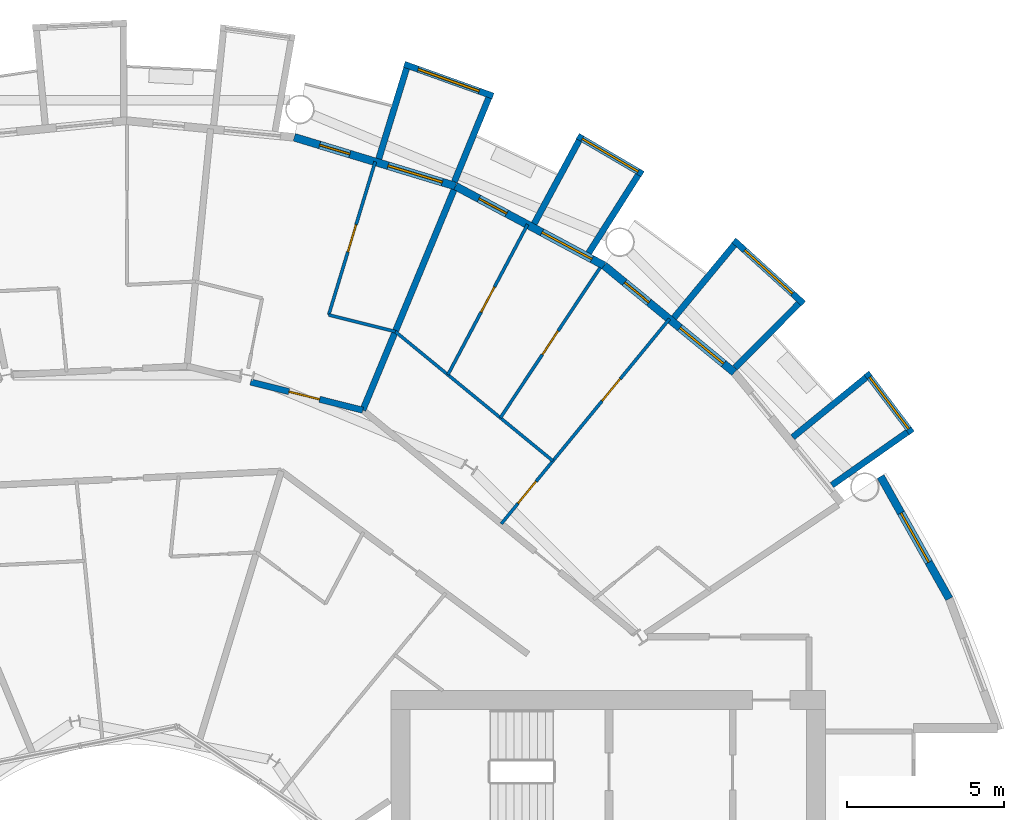
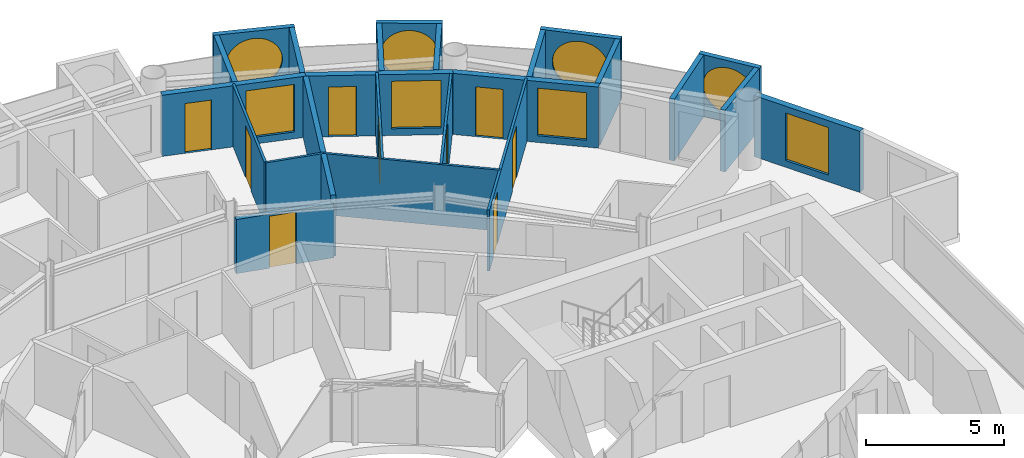
# One storey, part 23 of 27: 24 walls, 9 doors, 8 windows, 17 openings.
"""IFC4 building model written with IfcOpenShell, lengths in metres."""

from ifc_helpers import new_model, si_unit, direction, frame, frame_2d, origin, place, context, subcontext, project, spatial, rectangle, circle, extrude, material, layer, layer_set, type_object, element, fill, save


model = new_model("IFC4")

# Units and contexts
model_context = context("Model", 3, precision=1e-05, world=origin(), true_north=direction((0.0, 1.0)))
body_context = subcontext(model_context, "Body", "Model", "MODEL_VIEW")
ifc_project = project(units=[si_unit("LENGTHUNIT", "METRE"), si_unit("AREAUNIT", "SQUARE_METRE"), si_unit("VOLUMEUNIT", "CUBIC_METRE"), si_unit("PLANEANGLEUNIT", "RADIAN"), si_unit("MASSUNIT", "GRAM", prefix="KILO")], contexts=[model_context])

# Site, building, storey
site_placement = place(None, origin())
site = spatial("IfcSite", under=ifc_project, at=site_placement, CompositionType="ELEMENT")
building_placement = place(site_placement, origin())
building = spatial("IfcBuilding", under=site, at=building_placement, Name="Maasbend Ring Residences", CompositionType="ELEMENT")
storey_placement = place(building_placement, frame((0.0, 0.0, 114.699951171875)))
storey = spatial("IfcBuildingStorey", under=building, at=storey_placement, Name="L32", CompositionType="ELEMENT", Elevation=114.699951171875)

# Wall, opening, door
ifc_material_1 = material(Name="Concrete C30/37", Category="concrete")
ifc_layer_1 = layer(ifc_material_1, 0.199951171875)
ifc_layer_set_1 = layer_set([ifc_layer_1], Name="Concrete C30/37")
wall_type_1 = type_object("IfcWallType", Name="CORRIDOR WALL 200 CONCRETE", PredefinedType="PARTITIONING", material=ifc_layer_set_1)
wall_1_placement = place(storey_placement, frame((3.93603515625, 19.0009765625, 0.0), z_axis=(0.0, 0.0, 1.0), x_axis=(0.970025155677, -0.243004521262, 0.0)))
wall_1 = element("IfcWall", 1, at=wall_1_placement, inside=storey, type_object=wall_type_1, Name="U-L32-w104", PredefinedType="PARTITIONING", context=body_context, shape_type="SweptSolid", body=[
    extrude(rectangle(XDim=3.675048828125, YDim=0.199951171875, at=frame_2d((1.83740234375, 0.0))), origin(), (0.0, 0.0, 1.0), 2.39013671875),
])
opening_1_placement = place(wall_1_placement, frame((1.258056640625, 0.0, 0.0)))
opening_1 = element("IfcOpeningElement", 2, at=opening_1_placement, cuts=wall_1, Name="Opening D-3207", PredefinedType="OPENING", context=body_context, shape_type="SweptSolid", body=[
    extrude(rectangle(XDim=1.0, YDim=2.300048828125, at=frame_2d((0.5, 1.14990234375))), frame((0.0, 0.10986328125, 0.0), z_axis=(0.0, -1.0, 0.0), x_axis=(1.0, 0.0, 0.0)), (0.0, 0.0, 1.0), 0.219970703125),
])
ifc_material_2 = material(Name="Timber, fire-rated, painted", Category="wood")
door_type_1 = type_object("IfcDoorType", Name="FLAT ENTRANCE DOOR 1000 X 2300 FIRE-RATED", OperationType="NOTDEFINED", PredefinedType="DOOR", material=ifc_material_2)
door_1_placement = place(opening_1_placement, origin())
door_1 = element("IfcDoor", 3, at=door_1_placement, inside=storey, type_object=door_type_1, Name="D-3207", OperationType="SINGLE_SWING_LEFT", OverallHeight=2.300048828125, OverallWidth=1.0, PredefinedType="DOOR", context=body_context, shape_type="SweptSolid", body=[
    extrude(rectangle(XDim=1.0, YDim=2.300048828125, at=frame_2d((0.5, 1.14990234375))), frame((0.0, 0.02490234375, 0.0), z_axis=(0.0, -1.0, 0.0), x_axis=(1.0, 0.0, 0.0)), (0.0, 0.0, 1.0), 0.050048828125),
])
fill(opening_1, door_1)

# Wall, opening, window
ifc_material_3 = material(Name="Pale anodised aluminium panel", Category="aluminium")
ifc_layer_2 = layer(ifc_material_3, 0.199951171875)
ifc_layer_set_2 = layer_set([ifc_layer_2], Name="EW-BOX")
wall_type_2 = type_object("IfcWallType", Name="EW-BOX", PredefinedType="SOLIDWALL", material=ifc_layer_set_2)
wall_2_placement = place(storey_placement, frame((24.93994140625, 17.382080078125, -0.030029296875), z_axis=(0.0, 0.0, 1.0), x_axis=(-0.603375996329, 0.797456837111, 0.0)))
wall_2 = element("IfcWall", 4, at=wall_2_placement, inside=storey, type_object=wall_type_2, Name="Box front N01", PredefinedType="SOLIDWALL", context=body_context, shape_type="SweptSolid", body=[
    extrude(rectangle(XDim=2.391357421875, YDim=0.199951171875, at=frame_2d((1.19580078125, 0.0))), origin(), (0.0, 0.0, 1.0), 2.72998046875),
])
opening_2_placement = place(wall_2_placement, frame((0.15576171875, 0.0, 0.330078125)))
opening_2 = element("IfcOpeningElement", 5, at=opening_2_placement, cuts=wall_2, Name="Opening W-RD", PredefinedType="OPENING", context=body_context, shape_type="SweptSolid", body=[
    extrude(circle(Radius=1.0400390625, at=frame_2d((1.0400390625, 1.0400390625))), frame((0.0, 0.10986328125, 0.0), z_axis=(0.0, -1.0, 0.0), x_axis=(1.0, 0.0, 0.0)), (0.0, 0.0, 1.0), 0.219970703125),
])
ifc_material_4 = material(Name="Aluminium and clear glass", Category="aluminium")
window_type_1 = type_object("IfcWindowType", Name="W-RD", PartitioningType="SINGLE_PANEL", PredefinedType="WINDOW", material=ifc_material_4)
window_1_placement = place(opening_2_placement, origin())
window_1 = element("IfcWindow", 6, at=window_1_placement, inside=storey, type_object=window_type_1, Name="Round window N01", OverallHeight=2.080078125, OverallWidth=2.080078125, PartitioningType="SINGLE_PANEL", PredefinedType="WINDOW", context=body_context, shape_type="SweptSolid", body=[
    extrude(circle(Radius=1.0400390625, at=frame_2d((1.0400390625, 1.0400390625))), frame((0.0, 0.030029296875, 0.0), z_axis=(0.0, -1.0, 0.0), x_axis=(1.0, 0.0, 0.0)), (0.0, 0.0, 1.0), 0.06005859375),
])
fill(opening_2, window_1)

# Walls
wall_3_placement = place(storey_placement, frame((22.402099609375, 15.72607421875, -0.030029296875), z_axis=(0.0, 0.0, 1.0), x_axis=(0.818275399393, 0.574826383135, 0.0)))
element("IfcWall", 7, at=wall_3_placement, inside=storey, type_object=wall_type_2, Name="Box side wall N01 left", PredefinedType="SOLIDWALL", context=body_context, shape_type="SweptSolid", body=[
    extrude(rectangle(XDim=2.92919921875, YDim=0.199951171875, at=frame_2d((1.464599609375, 0.0))), origin(), (0.0, 0.0, 1.0), 2.72998046875),
])
wall_4_placement = place(storey_placement, frame((21.155029296875, 17.24609375, -0.030029296875), z_axis=(0.0, 0.0, 1.0), x_axis=(0.775179004516, 0.631741648902, 0.0)))
element("IfcWall", 8, at=wall_4_placement, inside=storey, type_object=wall_type_2, Name="Box side wall N01 right", PredefinedType="SOLIDWALL", context=body_context, shape_type="SweptSolid", body=[
    extrude(rectangle(XDim=3.005859375, YDim=0.199951171875, at=frame_2d((1.5029296875, 0.0))), origin(), (0.0, 0.0, 1.0), 2.72998046875),
])

# Wall, opening, window
wall_5_placement = place(storey_placement, frame((21.5, 21.492919921875, -0.030029296875), z_axis=(0.0, 0.0, 1.0), x_axis=(-0.740998365753, 0.671506829416, 0.0)))
wall_5 = element("IfcWall", 9, at=wall_5_placement, inside=storey, type_object=wall_type_2, Name="Box front N03", PredefinedType="SOLIDWALL", context=body_context, shape_type="SweptSolid", body=[
    extrude(rectangle(XDim=2.9931640625, YDim=0.199951171875, at=frame_2d((1.49658203125, 0.0))), origin(), (0.0, 0.0, 1.0), 2.72998046875),
])
opening_3_placement = place(wall_5_placement, frame((0.45654296875, 0.0, 0.330078125)))
opening_3 = element("IfcOpeningElement", 10, at=opening_3_placement, cuts=wall_5, Name="Opening W-RD", PredefinedType="OPENING", context=body_context, shape_type="SweptSolid", body=[
    extrude(circle(Radius=1.0400390625, at=frame_2d((1.0400390625, 1.0400390625))), frame((0.0, 0.10986328125, 0.0), z_axis=(0.0, -1.0, 0.0), x_axis=(1.0, 0.0, 0.0)), (0.0, 0.0, 1.0), 0.219970703125),
])
window_2_placement = place(opening_3_placement, origin())
window_2 = element("IfcWindow", 11, at=window_2_placement, inside=storey, type_object=window_type_1, Name="Round window N03", OverallHeight=2.080078125, OverallWidth=2.080078125, PartitioningType="SINGLE_PANEL", PredefinedType="WINDOW", context=body_context, shape_type="SweptSolid", body=[
    extrude(circle(Radius=1.0400390625, at=frame_2d((1.0400390625, 1.0400390625))), frame((0.0, 0.030029296875, 0.0), z_axis=(0.0, -1.0, 0.0), x_axis=(1.0, 0.0, 0.0)), (0.0, 0.0, 1.0), 0.06005859375),
])
fill(opening_3, window_2)

# Walls
wall_6_placement = place(storey_placement, frame((19.322998046875, 19.449951171875, -0.030029296875), z_axis=(0.0, 0.0, 1.0), x_axis=(0.704476739375, 0.709727076896, 0.0)))
element("IfcWall", 12, at=wall_6_placement, inside=storey, type_object=wall_type_2, Name="Box side wall N03 left", PredefinedType="SOLIDWALL", context=body_context, shape_type="SweptSolid", body=[
    extrude(rectangle(XDim=2.883056640625, YDim=0.199951171875, at=frame_2d((1.44140625, 0.0))), origin(), (0.0, 0.0, 1.0), 2.72998046875),
])
wall_7_placement = place(storey_placement, frame((17.384033203125, 21.041015625, -0.030029296875), z_axis=(0.0, 0.0, 1.0), x_axis=(0.63709551667, 0.770784861449, 0.0)))
element("IfcWall", 13, at=wall_7_placement, inside=storey, type_object=wall_type_2, Name="Box side wall N03 right", PredefinedType="SOLIDWALL", context=body_context, shape_type="SweptSolid", body=[
    extrude(rectangle(XDim=3.005859375, YDim=0.199951171875, at=frame_2d((1.5029296875, 0.0))), origin(), (0.0, 0.0, 1.0), 2.72998046875),
])

# Wall, opening, window
wall_8_placement = place(storey_placement, frame((16.389892578125, 25.60302734375, -0.030029296875), z_axis=(0.0, 0.0, 1.0), x_axis=(-0.862762477128, 0.505609442218, 0.0)))
wall_8 = element("IfcWall", 14, at=wall_8_placement, inside=storey, type_object=wall_type_2, Name="Box front N05", PredefinedType="SOLIDWALL", context=body_context, shape_type="SweptSolid", body=[
    extrude(rectangle(XDim=2.39111328125, YDim=0.199951171875, at=frame_2d((1.195556640625, 0.0))), origin(), (0.0, 0.0, 1.0), 2.72998046875),
])
opening_4_placement = place(wall_8_placement, frame((0.15576171875, 0.0, 0.330078125)))
opening_4 = element("IfcOpeningElement", 15, at=opening_4_placement, cuts=wall_8, Name="Opening W-RD", PredefinedType="OPENING", context=body_context, shape_type="SweptSolid", body=[
    extrude(circle(Radius=1.0400390625, at=frame_2d((1.0400390625, 1.0400390625))), frame((0.0, 0.10986328125, 0.0), z_axis=(0.0, -1.0, 0.0), x_axis=(1.0, 0.0, 0.0)), (0.0, 0.0, 1.0), 0.219970703125),
])
window_3_placement = place(opening_4_placement, origin())
window_3 = element("IfcWindow", 16, at=window_3_placement, inside=storey, type_object=window_type_1, Name="Round window N05", OverallHeight=2.080078125, OverallWidth=2.080078125, PartitioningType="SINGLE_PANEL", PredefinedType="WINDOW", context=body_context, shape_type="SweptSolid", body=[
    extrude(circle(Radius=1.0400390625, at=frame_2d((1.0400390625, 1.0400390625))), frame((0.0, 0.030029296875, 0.0), z_axis=(0.0, -1.0, 0.0), x_axis=(1.0, 0.0, 0.0)), (0.0, 0.0, 1.0), 0.06005859375),
])
fill(opening_4, window_3)

# Walls
wall_9_placement = place(storey_placement, frame((14.677978515625, 23.10205078125, -0.030029296875), z_axis=(0.0, 0.0, 1.0), x_axis=(0.536001536573, 0.844217005746, 0.0)))
element("IfcWall", 17, at=wall_9_placement, inside=storey, type_object=wall_type_2, Name="Box side wall N05 left", PredefinedType="SOLIDWALL", context=body_context, shape_type="SweptSolid", body=[
    extrude(rectangle(XDim=2.92919921875, YDim=0.199951171875, at=frame_2d((1.464599609375, 0.0))), origin(), (0.0, 0.0, 1.0), 2.72998046875),
])
wall_10_placement = place(storey_placement, frame((12.945068359375, 24.029052734375, -0.030029296875), z_axis=(0.0, 0.0, 1.0), x_axis=(0.474424310775, 0.88029629861, 0.0)))
element("IfcWall", 18, at=wall_10_placement, inside=storey, type_object=wall_type_2, Name="Box side wall N05 right", PredefinedType="SOLIDWALL", context=body_context, shape_type="SweptSolid", body=[
    extrude(rectangle(XDim=3.005859375, YDim=0.199951171875, at=frame_2d((1.5029296875, 0.0))), origin(), (0.0, 0.0, 1.0), 2.72998046875),
])

# Wall, opening, window
wall_11_placement = place(storey_placement, frame((11.637939453125, 28.083984375, -0.030029296875), z_axis=(0.0, 0.0, 1.0), x_axis=(-0.941461077774, 0.337121697664, 0.0)))
wall_11 = element("IfcWall", 19, at=wall_11_placement, inside=storey, type_object=wall_type_2, Name="Box front N07", PredefinedType="SOLIDWALL", context=body_context, shape_type="SweptSolid", body=[
    extrude(rectangle(XDim=2.9931640625, YDim=0.199951171875, at=frame_2d((1.49658203125, 0.0))), origin(), (0.0, 0.0, 1.0), 2.72998046875),
])
opening_5_placement = place(wall_11_placement, frame((0.45654296875, 0.0, 0.330078125)))
opening_5 = element("IfcOpeningElement", 20, at=opening_5_placement, cuts=wall_11, Name="Opening W-RD", PredefinedType="OPENING", context=body_context, shape_type="SweptSolid", body=[
    extrude(circle(Radius=1.0400390625, at=frame_2d((1.0400390625, 1.0400390625))), frame((0.0, 0.10986328125, 0.0), z_axis=(0.0, -1.0, 0.0), x_axis=(1.0, 0.0, 0.0)), (0.0, 0.0, 1.0), 0.219970703125),
])
window_4_placement = place(opening_5_placement, origin())
window_4 = element("IfcWindow", 21, at=window_4_placement, inside=storey, type_object=window_type_1, Name="Round window N07", OverallHeight=2.080078125, OverallWidth=2.080078125, PartitioningType="SINGLE_PANEL", PredefinedType="WINDOW", context=body_context, shape_type="SweptSolid", body=[
    extrude(circle(Radius=1.0400390625, at=frame_2d((1.0400390625, 1.0400390625))), frame((0.0, 0.030029296875, 0.0), z_axis=(0.0, -1.0, 0.0), x_axis=(1.0, 0.0, 0.0)), (0.0, 0.0, 1.0), 0.06005859375),
])
fill(opening_5, window_4)

# Walls
wall_12_placement = place(storey_placement, frame((10.408935546875, 25.364013671875, -0.030029296875), z_axis=(0.0, 0.0, 1.0), x_axis=(0.379509886562, 0.925187681501, 0.0)))
element("IfcWall", 22, at=wall_12_placement, inside=storey, type_object=wall_type_2, Name="Box side wall N07 left", PredefinedType="SOLIDWALL", context=body_context, shape_type="SweptSolid", body=[
    extrude(rectangle(XDim=2.882568359375, YDim=0.199951171875, at=frame_2d((1.44140625, 0.0))), origin(), (0.0, 0.0, 1.0), 2.72998046875),
])
wall_13_placement = place(storey_placement, frame((8.009033203125, 26.092041015625, -0.030029296875), z_axis=(0.0, 0.0, 1.0), x_axis=(0.293406695073, 0.955987715029, 0.0)))
element("IfcWall", 23, at=wall_13_placement, inside=storey, type_object=wall_type_2, Name="Box side wall N07 right", PredefinedType="SOLIDWALL", context=body_context, shape_type="SweptSolid", body=[
    extrude(rectangle(XDim=3.00634765625, YDim=0.199951171875, at=frame_2d((1.503173828125, 0.0))), origin(), (0.0, 0.0, 1.0), 2.72998046875),
])

# Wall, openings, door, window
ifc_material_5 = material(Name="Aluminium clad insulated panel", Category="aluminium")
ifc_layer_3 = layer(ifc_material_5, 0.25)
ifc_layer_set_3 = layer_set([ifc_layer_3], Name="EW-GL")
wall_type_3 = type_object("IfcWallType", Name="EW-GL", PredefinedType="SOLIDWALL", material=ifc_layer_set_3)
wall_14_placement = place(storey_placement, frame((19.303955078125, 19.303955078125, 0.0), z_axis=(0.0, 0.0, 1.0), x_axis=(-0.773019449054, 0.634382322723, 0.0)))
wall_14 = element("IfcWall", 24, at=wall_14_placement, inside=storey, type_object=wall_type_3, Name="External wall N02", PredefinedType="SOLIDWALL", context=body_context, shape_type="SweptSolid", body=[
    extrude(rectangle(XDim=5.351806640625, YDim=0.25, at=frame_2d((2.67578125, 0.0))), origin(), (0.0, 0.0, 1.0), 2.699951171875),
])
opening_6_placement = place(wall_14_placement, frame((0.441162109375, 0.0, 0.300048828125)))
opening_6 = element("IfcOpeningElement", 25, at=opening_6_placement, cuts=wall_14, Name="Opening W-BX", PredefinedType="OPENING", context=body_context, shape_type="SweptSolid", body=[
    extrude(rectangle(XDim=1.800048828125, YDim=2.10009765625, at=frame_2d((0.89990234375, 1.050048828125))), frame((0.0, 0.135009765625, 0.0), z_axis=(0.0, -1.0, 0.0), x_axis=(1.0, 0.0, 0.0)), (0.0, 0.0, 1.0), 0.27001953125),
])
opening_7_placement = place(wall_14_placement, frame((3.510498046875, 0.0, 0.0)))
opening_7 = element("IfcOpeningElement", 26, at=opening_7_placement, cuts=wall_14, Name="Opening D-LG", PredefinedType="OPENING", context=body_context, shape_type="SweptSolid", body=[
    extrude(rectangle(XDim=1.0, YDim=2.199951171875, at=frame_2d((0.5, 1.10009765625))), frame((0.0, 0.135009765625, 0.0), z_axis=(0.0, -1.0, 0.0), x_axis=(1.0, 0.0, 0.0)), (0.0, 0.0, 1.0), 0.27001953125),
])
ifc_material_6 = material(Name="Aluminium and clear glass", Category="aluminium")
door_type_2 = type_object("IfcDoorType", Name="D-LG", OperationType="SINGLE_SWING_LEFT", PredefinedType="DOOR", material=ifc_material_6)
door_2_placement = place(opening_7_placement, origin())
door_2 = element("IfcDoor", 27, at=door_2_placement, inside=storey, type_object=door_type_2, Name="Loggia door N04", OperationType="SINGLE_SWING_LEFT", OverallHeight=2.199951171875, OverallWidth=1.0, PredefinedType="DOOR", context=body_context, shape_type="SweptSolid", body=[
    extrude(rectangle(XDim=1.0, YDim=2.199951171875, at=frame_2d((0.5, 1.10009765625))), frame((0.0, 0.02490234375, 0.0), z_axis=(0.0, -1.0, 0.0), x_axis=(1.0, 0.0, 0.0)), (0.0, 0.0, 1.0), 0.050048828125),
])
fill(opening_7, door_2)
ifc_material_7 = material(Name="Aluminium and clear glass", Category="aluminium")
window_type_2 = type_object("IfcWindowType", Name="W-BX", PartitioningType="DOUBLE_PANEL_VERTICAL", PredefinedType="WINDOW", material=ifc_material_7)
window_5_placement = place(opening_6_placement, origin())
window_5 = element("IfcWindow", 28, at=window_5_placement, inside=storey, type_object=window_type_2, Name="Window N03 room to box", OverallHeight=2.10009765625, OverallWidth=1.800048828125, PartitioningType="SINGLE_PANEL", PredefinedType="WINDOW", context=body_context, shape_type="SweptSolid", body=[
    extrude(rectangle(XDim=1.800048828125, YDim=2.10009765625, at=frame_2d((0.89990234375, 1.050048828125))), frame((0.0, 0.030029296875, 0.0), z_axis=(0.0, -1.0, 0.0), x_axis=(1.0, 0.0, 0.0)), (0.0, 0.0, 1.0), 0.06005859375),
])
fill(opening_6, window_5)

wall_15_placement = place(storey_placement, frame((15.1669921875, 22.698974609375, 0.0), z_axis=(0.0, 0.0, 1.0), x_axis=(-0.881915646801, 0.471407246368, 0.0)))
wall_15 = element("IfcWall", 29, at=wall_15_placement, inside=storey, type_object=wall_type_3, Name="External wall N03", PredefinedType="SOLIDWALL", context=body_context, shape_type="SweptSolid", body=[
    extrude(rectangle(XDim=5.35205078125, YDim=0.25, at=frame_2d((2.676025390625, 0.0))), origin(), (0.0, 0.0, 1.0), 2.699951171875),
])
opening_8_placement = place(wall_15_placement, frame((0.441162109375, 0.0, 0.300048828125)))
opening_8 = element("IfcOpeningElement", 30, at=opening_8_placement, cuts=wall_15, Name="Opening W-BX", PredefinedType="OPENING", context=body_context, shape_type="SweptSolid", body=[
    extrude(rectangle(XDim=1.800048828125, YDim=2.10009765625, at=frame_2d((0.89990234375, 1.050048828125))), frame((0.0, 0.135009765625, 0.0), z_axis=(0.0, -1.0, 0.0), x_axis=(1.0, 0.0, 0.0)), (0.0, 0.0, 1.0), 0.27001953125),
])
opening_9_placement = place(wall_15_placement, frame((3.510498046875, 0.0, 0.0)))
opening_9 = element("IfcOpeningElement", 31, at=opening_9_placement, cuts=wall_15, Name="Opening D-LG", PredefinedType="OPENING", context=body_context, shape_type="SweptSolid", body=[
    extrude(rectangle(XDim=1.0, YDim=2.199951171875, at=frame_2d((0.5, 1.10009765625))), frame((0.0, 0.135009765625, 0.0), z_axis=(0.0, -1.0, 0.0), x_axis=(1.0, 0.0, 0.0)), (0.0, 0.0, 1.0), 0.27001953125),
])
door_3_placement = place(opening_9_placement, origin())
door_3 = element("IfcDoor", 32, at=door_3_placement, inside=storey, type_object=door_type_2, Name="Loggia door N06", OperationType="SINGLE_SWING_LEFT", OverallHeight=2.199951171875, OverallWidth=1.0, PredefinedType="DOOR", context=body_context, shape_type="SweptSolid", body=[
    extrude(rectangle(XDim=1.0, YDim=2.199951171875, at=frame_2d((0.5, 1.10009765625))), frame((0.0, 0.02490234375, 0.0), z_axis=(0.0, -1.0, 0.0), x_axis=(1.0, 0.0, 0.0)), (0.0, 0.0, 1.0), 0.050048828125),
])
fill(opening_9, door_3)
window_6_placement = place(opening_8_placement, origin())
window_6 = element("IfcWindow", 33, at=window_6_placement, inside=storey, type_object=window_type_2, Name="Window N05 room to box", OverallHeight=2.10009765625, OverallWidth=1.800048828125, PartitioningType="SINGLE_PANEL", PredefinedType="WINDOW", context=body_context, shape_type="SweptSolid", body=[
    extrude(rectangle(XDim=1.800048828125, YDim=2.10009765625, at=frame_2d((0.89990234375, 1.050048828125))), frame((0.0, 0.030029296875, 0.0), z_axis=(0.0, -1.0, 0.0), x_axis=(1.0, 0.0, 0.0)), (0.0, 0.0, 1.0), 0.06005859375),
])
fill(opening_8, window_6)

wall_16_placement = place(storey_placement, frame((10.447021484375, 25.221923828125, 0.0), z_axis=(0.0, 0.0, 1.0), x_axis=(-0.956965678721, 0.290201119486, 0.0)))
wall_16 = element("IfcWall", 34, at=wall_16_placement, inside=storey, type_object=wall_type_3, Name="External wall N04", PredefinedType="SOLIDWALL", context=body_context, shape_type="SweptSolid", body=[
    extrude(rectangle(XDim=5.351318359375, YDim=0.25, at=frame_2d((2.67578125, 0.0))), origin(), (0.0, 0.0, 1.0), 2.699951171875),
])
opening_10_placement = place(wall_16_placement, frame((0.441162109375, 0.0, 0.300048828125)))
opening_10 = element("IfcOpeningElement", 35, at=opening_10_placement, cuts=wall_16, Name="Opening W-BX", PredefinedType="OPENING", context=body_context, shape_type="SweptSolid", body=[
    extrude(rectangle(XDim=1.800048828125, YDim=2.10009765625, at=frame_2d((0.89990234375, 1.050048828125))), frame((0.0, 0.135009765625, 0.0), z_axis=(0.0, -1.0, 0.0), x_axis=(1.0, 0.0, 0.0)), (0.0, 0.0, 1.0), 0.27001953125),
])
opening_11_placement = place(wall_16_placement, frame((3.510498046875, 0.0, 0.0)))
opening_11 = element("IfcOpeningElement", 36, at=opening_11_placement, cuts=wall_16, Name="Opening D-LG", PredefinedType="OPENING", context=body_context, shape_type="SweptSolid", body=[
    extrude(rectangle(XDim=1.0, YDim=2.199951171875, at=frame_2d((0.5, 1.10009765625))), frame((0.0, 0.135009765625, 0.0), z_axis=(0.0, -1.0, 0.0), x_axis=(1.0, 0.0, 0.0)), (0.0, 0.0, 1.0), 0.27001953125),
])
door_4_placement = place(opening_11_placement, origin())
door_4 = element("IfcDoor", 37, at=door_4_placement, inside=storey, type_object=door_type_2, Name="Loggia door N08", OperationType="SINGLE_SWING_LEFT", OverallHeight=2.199951171875, OverallWidth=1.0, PredefinedType="DOOR", context=body_context, shape_type="SweptSolid", body=[
    extrude(rectangle(XDim=1.0, YDim=2.199951171875, at=frame_2d((0.5, 1.10009765625))), frame((0.0, 0.02490234375, 0.0), z_axis=(0.0, -1.0, 0.0), x_axis=(1.0, 0.0, 0.0)), (0.0, 0.0, 1.0), 0.050048828125),
])
fill(opening_11, door_4)
window_7_placement = place(opening_10_placement, origin())
window_7 = element("IfcWindow", 38, at=window_7_placement, inside=storey, type_object=window_type_2, Name="Window N07 room to box", OverallHeight=2.10009765625, OverallWidth=1.800048828125, PartitioningType="SINGLE_PANEL", PredefinedType="WINDOW", context=body_context, shape_type="SweptSolid", body=[
    extrude(rectangle(XDim=1.800048828125, YDim=2.10009765625, at=frame_2d((0.89990234375, 1.050048828125))), frame((0.0, 0.030029296875, 0.0), z_axis=(0.0, -1.0, 0.0), x_axis=(1.0, 0.0, 0.0)), (0.0, 0.0, 1.0), 0.06005859375),
])
fill(opening_10, window_7)

# Wall, opening, window
ifc_material_8 = material(Name="Aluminium clad insulated panel", Category="aluminium")
ifc_layer_4 = layer(ifc_material_8, 0.25)
ifc_layer_set_4 = layer_set([ifc_layer_4], Name="EW-HORN")
wall_type_4 = type_object("IfcWallType", Name="EW-HORN", PredefinedType="SOLIDWALL", material=ifc_layer_set_4)
wall_17_placement = place(storey_placement, frame((26.126953125, 12.116943359375, 0.0), z_axis=(0.0, 0.0, 1.0), x_axis=(-0.489696356642, 0.871893042919, 0.0)))
wall_17 = element("IfcWall", 39, at=wall_17_placement, inside=storey, type_object=wall_type_4, Name="Horn wall 1.2", PredefinedType="SOLIDWALL", context=body_context, shape_type="SweptSolid", body=[
    extrude(rectangle(XDim=4.45361328125, YDim=0.25, at=frame_2d((2.226806640625, 0.0))), origin(), (0.0, 0.0, 1.0), 2.699951171875),
])
opening_12_placement = place(wall_17_placement, frame((1.32666015625, 0.0, 0.300048828125)))
opening_12 = element("IfcOpeningElement", 40, at=opening_12_placement, cuts=wall_17, Name="Opening W-BX", PredefinedType="OPENING", context=body_context, shape_type="SweptSolid", body=[
    extrude(rectangle(XDim=1.800048828125, YDim=2.10009765625, at=frame_2d((0.89990234375, 1.050048828125))), frame((0.0, 0.135009765625, 0.0), z_axis=(0.0, -1.0, 0.0), x_axis=(1.0, 0.0, 0.0)), (0.0, 0.0, 1.0), 0.27001953125),
])
window_8_placement = place(opening_12_placement, origin())
window_8 = element("IfcWindow", 41, at=window_8_placement, inside=storey, type_object=window_type_2, Name="Horn window 1.2", OverallHeight=2.10009765625, OverallWidth=1.800048828125, PartitioningType="SINGLE_PANEL", PredefinedType="WINDOW", context=body_context, shape_type="SweptSolid", body=[
    extrude(rectangle(XDim=1.800048828125, YDim=2.10009765625, at=frame_2d((0.89990234375, 1.050048828125))), frame((0.0, 0.030029296875, 0.0), z_axis=(0.0, -1.0, 0.0), x_axis=(1.0, 0.0, 0.0)), (0.0, 0.0, 1.0), 0.06005859375),
])
fill(opening_12, window_8)

# Wall, opening, door
ifc_material_9 = material(Name="Gypsum board on steel studs", Category="steel")
ifc_layer_5 = layer(ifc_material_9, 0.10009765625)
ifc_layer_set_5 = layer_set([ifc_layer_5], Name="PARTITION 100 GYPSUM")
wall_type_5 = type_object("IfcWallType", Name="PARTITION 100 GYPSUM", PredefinedType="PARTITIONING", material=ifc_layer_set_5)
wall_18_placement = place(storey_placement, frame((6.41796875, 21.133056640625, 0.0), z_axis=(0.0, 0.0, 1.0), x_axis=(0.290651827018, 0.956828885147, 0.0)))
wall_18 = element("IfcWall", 42, at=wall_18_placement, inside=storey, type_object=wall_type_5, Name="U-L32-w073", PredefinedType="PARTITIONING", context=body_context, shape_type="SweptSolid", body=[
    extrude(rectangle(XDim=5.088623046875, YDim=0.10009765625, at=frame_2d((2.54443359375, 0.0))), origin(), (0.0, 0.0, 1.0), 2.699951171875),
])
opening_13_placement = place(wall_18_placement, frame((2.093994140625, 0.0, 0.0)))
opening_13 = element("IfcOpeningElement", 43, at=opening_13_placement, cuts=wall_18, Name="Opening D-3209", PredefinedType="OPENING", context=body_context, shape_type="SweptSolid", body=[
    extrude(rectangle(XDim=0.89990234375, YDim=2.300048828125, at=frame_2d((0.449951171875, 1.14990234375))), frame((0.0, 0.06005859375, 0.0), z_axis=(0.0, -1.0, 0.0), x_axis=(1.0, 0.0, 0.0)), (0.0, 0.0, 1.0), 0.1201171875),
])
ifc_material_10 = material(Name="Timber, painted", Category="wood")
door_type_3 = type_object("IfcDoorType", Name="INTERNAL DOOR 900 X 2300", OperationType="NOTDEFINED", PredefinedType="DOOR", material=ifc_material_10)
door_5_placement = place(opening_13_placement, origin())
door_5 = element("IfcDoor", 44, at=door_5_placement, inside=storey, type_object=door_type_3, Name="D-3209", OperationType="SINGLE_SWING_LEFT", OverallHeight=2.300048828125, OverallWidth=0.89990234375, PredefinedType="DOOR", context=body_context, shape_type="SweptSolid", body=[
    extrude(rectangle(XDim=0.89990234375, YDim=2.300048828125, at=frame_2d((0.449951171875, 1.14990234375))), frame((0.0, 0.02490234375, 0.0), z_axis=(0.0, -1.0, 0.0), x_axis=(1.0, 0.0, 0.0)), (0.0, 0.0, 1.0), 0.050048828125),
])
fill(opening_13, door_5)

wall_19_placement = place(storey_placement, frame((10.2041015625, 19.23291015625, 0.0), z_axis=(0.0, 0.0, 1.0), x_axis=(0.468610030042, 0.883405139075, 0.0)))
wall_19 = element("IfcWall", 45, at=wall_19_placement, inside=storey, type_object=wall_type_5, Name="U-L32-w076", PredefinedType="PARTITIONING", context=body_context, shape_type="SweptSolid", body=[
    extrude(rectangle(XDim=5.403076171875, YDim=0.10009765625, at=frame_2d((2.70166015625, 0.0))), origin(), (0.0, 0.0, 1.0), 2.699951171875),
])
opening_14_placement = place(wall_19_placement, frame((2.2509765625, 0.0, 0.0)))
opening_14 = element("IfcOpeningElement", 46, at=opening_14_placement, cuts=wall_19, Name="Opening D-3206", PredefinedType="OPENING", context=body_context, shape_type="SweptSolid", body=[
    extrude(rectangle(XDim=0.89990234375, YDim=2.300048828125, at=frame_2d((0.449951171875, 1.14990234375))), frame((0.0, 0.06005859375, 0.0), z_axis=(0.0, -1.0, 0.0), x_axis=(1.0, 0.0, 0.0)), (0.0, 0.0, 1.0), 0.1201171875),
])
door_6_placement = place(opening_14_placement, origin())
door_6 = element("IfcDoor", 47, at=door_6_placement, inside=storey, type_object=door_type_3, Name="D-3206", OperationType="SINGLE_SWING_LEFT", OverallHeight=2.300048828125, OverallWidth=0.89990234375, PredefinedType="DOOR", context=body_context, shape_type="SweptSolid", body=[
    extrude(rectangle(XDim=0.89990234375, YDim=2.300048828125, at=frame_2d((0.449951171875, 1.14990234375))), frame((0.0, 0.02490234375, 0.0), z_axis=(0.0, -1.0, 0.0), x_axis=(1.0, 0.0, 0.0)), (0.0, 0.0, 1.0), 0.050048828125),
])
fill(opening_14, door_6)

wall_20_placement = place(storey_placement, frame((11.8701171875, 17.864990234375, 0.0), z_axis=(0.0, 0.0, 1.0), x_axis=(0.553440102418, 0.832888980018, 0.0)))
wall_20 = element("IfcWall", 48, at=wall_20_placement, inside=storey, type_object=wall_type_5, Name="U-L32-w078", PredefinedType="PARTITIONING", context=body_context, shape_type="SweptSolid", body=[
    extrude(rectangle(XDim=5.725830078125, YDim=0.10009765625, at=frame_2d((2.86279296875, 0.0))), origin(), (0.0, 0.0, 1.0), 2.699951171875),
])
opening_15_placement = place(wall_20_placement, frame((2.4130859375, 0.0, 0.0)))
opening_15 = element("IfcOpeningElement", 49, at=opening_15_placement, cuts=wall_20, Name="Opening D-3205", PredefinedType="OPENING", context=body_context, shape_type="SweptSolid", body=[
    extrude(rectangle(XDim=0.89990234375, YDim=2.300048828125, at=frame_2d((0.449951171875, 1.14990234375))), frame((0.0, 0.06005859375, 0.0), z_axis=(0.0, -1.0, 0.0), x_axis=(1.0, 0.0, 0.0)), (0.0, 0.0, 1.0), 0.1201171875),
])
door_7_placement = place(opening_15_placement, origin())
door_7 = element("IfcDoor", 50, at=door_7_placement, inside=storey, type_object=door_type_3, Name="D-3205", OperationType="SINGLE_SWING_LEFT", OverallHeight=2.300048828125, OverallWidth=0.89990234375, PredefinedType="DOOR", context=body_context, shape_type="SweptSolid", body=[
    extrude(rectangle(XDim=0.89990234375, YDim=2.300048828125, at=frame_2d((0.449951171875, 1.14990234375))), frame((0.0, 0.02490234375, 0.0), z_axis=(0.0, -1.0, 0.0), x_axis=(1.0, 0.0, 0.0)), (0.0, 0.0, 1.0), 0.050048828125),
])
fill(opening_15, door_7)

# Wall, openings, doors
wall_21_placement = place(storey_placement, frame((11.89990234375, 14.498046875, 0.0), z_axis=(0.0, 0.0, 1.0), x_axis=(0.634465454582, 0.772951218993, 0.0)))
wall_21 = element("IfcWall", 51, at=wall_21_placement, inside=storey, type_object=wall_type_5, Name="U-L32-w079", PredefinedType="PARTITIONING", context=body_context, shape_type="SweptSolid", body=[
    extrude(rectangle(XDim=8.419677734375, YDim=0.10009765625, at=frame_2d((4.2099609375, 0.0))), origin(), (0.0, 0.0, 1.0), 2.699951171875),
])
opening_16_placement = place(wall_21_placement, frame((0.840087890625, 0.0, 0.0)))
opening_16 = element("IfcOpeningElement", 52, at=opening_16_placement, cuts=wall_21, Name="Opening D-3203", PredefinedType="OPENING", context=body_context, shape_type="SweptSolid", body=[
    extrude(rectangle(XDim=0.89990234375, YDim=2.300048828125, at=frame_2d((0.449951171875, 1.14990234375))), frame((0.0, 0.06005859375, 0.0), z_axis=(0.0, -1.0, 0.0), x_axis=(1.0, 0.0, 0.0)), (0.0, 0.0, 1.0), 0.1201171875),
])
opening_17_placement = place(wall_21_placement, frame((5.051025390625, 0.0, 0.0)))
opening_17 = element("IfcOpeningElement", 53, at=opening_17_placement, cuts=wall_21, Name="Opening D-3204", PredefinedType="OPENING", context=body_context, shape_type="SweptSolid", body=[
    extrude(rectangle(XDim=0.89990234375, YDim=2.300048828125, at=frame_2d((0.449951171875, 1.14990234375))), frame((0.0, 0.06005859375, 0.0), z_axis=(0.0, -1.0, 0.0), x_axis=(1.0, 0.0, 0.0)), (0.0, 0.0, 1.0), 0.1201171875),
])
door_8_placement = place(opening_16_placement, origin())
door_8 = element("IfcDoor", 54, at=door_8_placement, inside=storey, type_object=door_type_3, Name="D-3203", OperationType="SINGLE_SWING_LEFT", OverallHeight=2.300048828125, OverallWidth=0.89990234375, PredefinedType="DOOR", context=body_context, shape_type="SweptSolid", body=[
    extrude(rectangle(XDim=0.89990234375, YDim=2.300048828125, at=frame_2d((0.449951171875, 1.14990234375))), frame((0.0, 0.02490234375, 0.0), z_axis=(0.0, -1.0, 0.0), x_axis=(1.0, 0.0, 0.0)), (0.0, 0.0, 1.0), 0.050048828125),
])
fill(opening_16, door_8)
door_9_placement = place(opening_17_placement, origin())
door_9 = element("IfcDoor", 55, at=door_9_placement, inside=storey, type_object=door_type_3, Name="D-3204", OperationType="SINGLE_SWING_RIGHT", OverallHeight=2.300048828125, OverallWidth=0.89990234375, PredefinedType="DOOR", context=body_context, shape_type="SweptSolid", body=[
    extrude(rectangle(XDim=0.89990234375, YDim=2.300048828125, at=frame_2d((0.449951171875, 1.14990234375))), frame((0.0, 0.02490234375, 0.0), z_axis=(0.0, -1.0, 0.0), x_axis=(1.0, 0.0, 0.0)), (0.0, 0.0, 1.0), 0.050048828125),
])
fill(opening_17, door_9)

# Walls
wall_22_placement = place(storey_placement, frame((8.533935546875, 20.60302734375, 0.0), z_axis=(0.0, 0.0, 1.0), x_axis=(0.773000340237, -0.634405606843, 0.0)))
element("IfcWall", 56, at=wall_22_placement, inside=storey, type_object=wall_type_5, Name="U-L32-w105", PredefinedType="PARTITIONING", context=body_context, shape_type="SweptSolid", body=[
    extrude(rectangle(XDim=6.4736328125, YDim=0.10009765625, at=frame_2d((3.23681640625, 0.0))), origin(), (0.0, 0.0, 1.0), 2.699951171875),
])
wall_23_placement = place(storey_placement, frame((6.41796875, 21.133056640625, 0.0), z_axis=(0.0, 0.0, 1.0), x_axis=(0.97003047456, -0.242983288366, 0.0)))
element("IfcWall", 57, at=wall_23_placement, inside=storey, type_object=wall_type_5, Name="U-L32-w116", PredefinedType="PARTITIONING", context=body_context, shape_type="SweptSolid", body=[
    extrude(rectangle(XDim=2.181396484375, YDim=0.10009765625, at=frame_2d((1.0908203125, 0.0))), origin(), (0.0, 0.0, 1.0), 2.699951171875),
])
ifc_material_11 = material(Name="Concrete C30/37", Category="concrete")
ifc_layer_6 = layer(ifc_material_11, 0.199951171875)
ifc_layer_set_6 = layer_set([ifc_layer_6], Name="Concrete C30/37")
wall_type_6 = type_object("IfcWallType", Name="PARTY WALL 200 CONCRETE", PredefinedType="PARTITIONING", material=ifc_layer_set_6)
wall_24_placement = place(storey_placement, frame((7.5009765625, 18.10791015625, 0.0), z_axis=(0.0, 0.0, 1.0), x_axis=(0.382490346157, 0.923959487801, 0.0)))
element("IfcWall", 58, at=wall_24_placement, inside=storey, type_object=wall_type_6, Name="U-L32-w075", PredefinedType="PARTITIONING", context=body_context, shape_type="SweptSolid", body=[
    extrude(rectangle(XDim=7.573974609375, YDim=0.199951171875, at=frame_2d((3.787109375, 0.0))), origin(), (0.0, 0.0, 1.0), 2.699951171875),
])

save(model, "model.ifc")
